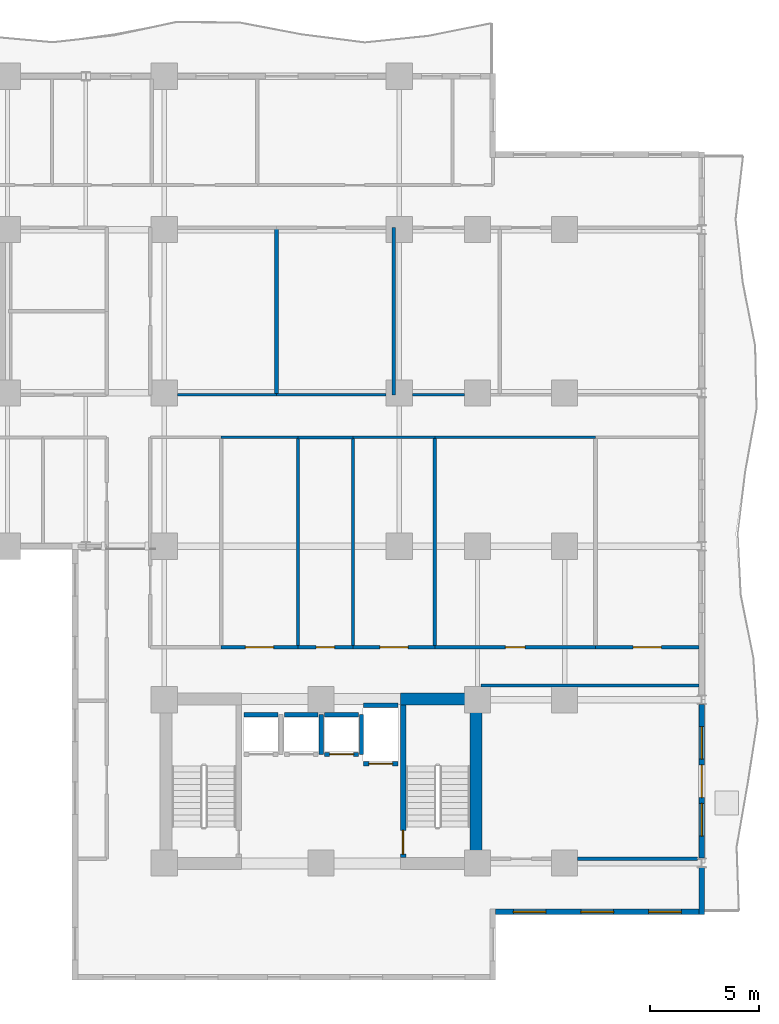
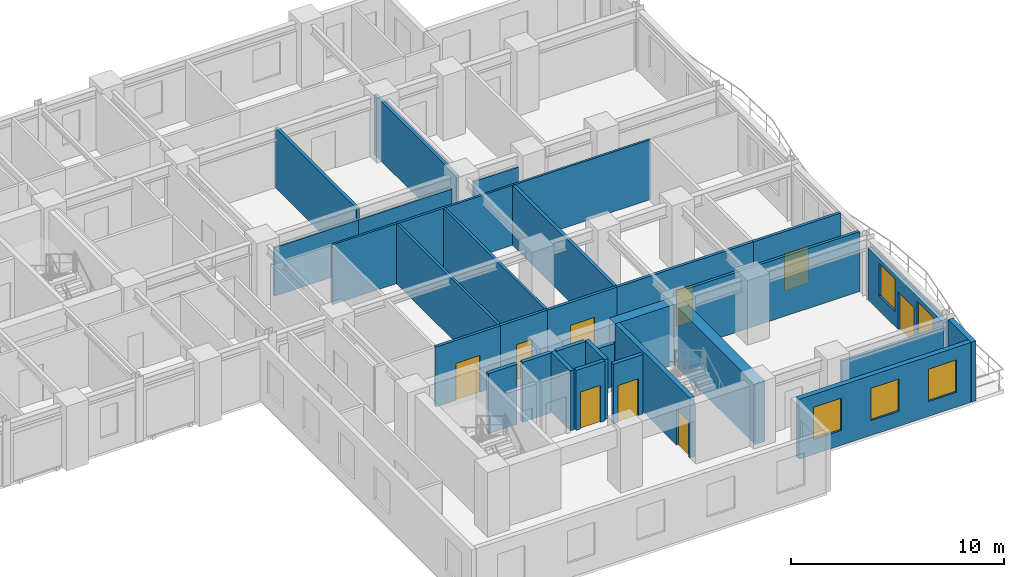
# One storey, part 5 of 11: 33 walls, 9 doors, 5 windows, 14 openings.
"""IFC4 building model written with IfcOpenShell, lengths in metres."""

import ifcopenshell
import ifcopenshell.guid

model = None  # the IFC model being written
_history = None  # IfcOwnerHistory: only IFC2X3 demands one
_inside = {}  # id of a spatial element -> (the spatial element, [elements in it])
_under = {}  # id of a project, library or spatial element -> (it, [spatial elements below it])
_declared = {}  # id of a project -> (the project, [libraries it declares])
_typed = {}  # id of a type object -> (the type object, [elements of that type])
_made_of = {}  # id of a material, layer set ... -> (it, [elements and type objects made of it])


def new_model(schema):
    """Start an empty IFC model of exactly this schema.

    Asked for "IFC4X3", IfcOpenShell would pick the latest addendum, in which some entities
    have other attributes; the version numbers below select the first issue.
    IFC2X3 requires an IfcOwnerHistory on every rooted entity: one is made here for all.
    """
    global model, _history
    if schema == "IFC4X3":
        model = ifcopenshell.file(schema_version=(4, 3, 0, 0))
    else:
        model = ifcopenshell.file(schema=schema)
    _inside.clear()
    _under.clear()
    _declared.clear()
    _typed.clear()
    _made_of.clear()
    _history = None
    if model.schema == "IFC2X3":
        org = make("IfcOrganization", Name="unknown")
        user = make(
            "IfcPersonAndOrganization",
            ThePerson=make("IfcPerson", FamilyName="unknown"),
            TheOrganization=org,
        )
        app = make(
            "IfcApplication",
            ApplicationDeveloper=org,
            Version="unknown",
            ApplicationFullName="unknown",
            ApplicationIdentifier="unknown",
        )
        _history = make(
            "IfcOwnerHistory",
            OwningUser=user,
            OwningApplication=app,
            ChangeAction="ADDED",
            CreationDate=0,
        )
    return model


def make(cls, **values):
    """One entity of the class cls with the attributes given. An attribute that is None is left unset."""
    return model.create_entity(
        cls, **{name: value for name, value in values.items() if value is not None}
    )


def rooted(cls, **values):
    """An entity with a GlobalId (a new one), such as an element, a storey or a relation."""
    return make(cls, GlobalId=ifcopenshell.guid.new(), OwnerHistory=_history, **values)


def si_unit(unit_type, name, prefix=None):
    """IfcSIUnit, for example si_unit("LENGTHUNIT", "METRE", prefix="MILLI")."""
    return make("IfcSIUnit", UnitType=unit_type, Prefix=prefix, Name=name)


def assignment(units):
    """IfcUnitAssignment: the units of a project."""
    return None if units is None else make("IfcUnitAssignment", Units=units)


def point(xyz):
    """IfcCartesianPoint."""
    return None if xyz is None else make("IfcCartesianPoint", Coordinates=xyz)


def direction(xyz):
    """IfcDirection."""
    return None if xyz is None else make("IfcDirection", DirectionRatios=xyz)


def frame(location, z_axis=None, x_axis=None):
    """IfcAxis2Placement3D, a coordinate frame: its origin and axes. An axis left out is left unset."""
    return make(
        "IfcAxis2Placement3D",
        Location=point(location),
        Axis=direction(z_axis),
        RefDirection=direction(x_axis),
    )


def frame_2d(location, x_axis=None):
    """IfcAxis2Placement2D, a coordinate frame in the plane: its origin and x axis."""
    return make(
        "IfcAxis2Placement2D", Location=point(location), RefDirection=direction(x_axis)
    )


def origin():
    """The frame at (0, 0, 0) with its axes left unset."""
    return frame((0.0, 0.0, 0.0))


def place(relative_to, where):
    """IfcLocalPlacement: puts the frame where relative to a parent placement (None: the world)."""
    return make(
        "IfcLocalPlacement", PlacementRelTo=relative_to, RelativePlacement=where
    )


def context(
    kind, dimensions, precision=None, world=None, true_north=None, identifier=None
):
    """IfcGeometricRepresentationContext, for example the 3D "Model" context."""
    return make(
        "IfcGeometricRepresentationContext",
        ContextIdentifier=identifier,
        ContextType=kind,
        CoordinateSpaceDimension=dimensions,
        Precision=precision,
        WorldCoordinateSystem=world,
        TrueNorth=true_north,
    )


def subcontext(parent, identifier, kind, view, scale=None):
    """IfcGeometricRepresentationSubContext, for example "Body" below "Model"."""
    return make(
        "IfcGeometricRepresentationSubContext",
        ContextIdentifier=identifier,
        ContextType=kind,
        ParentContext=parent,
        TargetScale=scale,
        TargetView=view,
    )


def project(units=None, contexts=None):
    """IfcProject with its units and contexts."""
    return rooted(
        "IfcProject",
        Name="project",
        RepresentationContexts=contexts,
        UnitsInContext=assignment(units),
    )


def spatial(cls, under=None, at=None, **own):
    """A site, building, storey or space (cls), placed at a placement, below another one or the project."""
    s = rooted(cls, ObjectPlacement=at, **own)
    if under is not None:
        _under.setdefault(under.id(), (under, []))[1].append(s)
    return s


def profile(cls, at=None, kind="AREA", **sizes):
    """A parametric profile (cls). Its sizes go by their IFC names, for example OverallWidth=200.0."""
    return make(cls, ProfileType=kind, Position=at, **sizes)


def rectangle(**sizes):
    """IfcRectangleProfileDef."""
    return profile("IfcRectangleProfileDef", **sizes)


def extrude(swept, where, along, depth):
    """IfcExtrudedAreaSolid: the profile swept, set in the frame where, extruded along a direction by depth."""
    return make(
        "IfcExtrudedAreaSolid",
        SweptArea=swept,
        Position=where,
        ExtrudedDirection=direction(along),
        Depth=depth,
    )


def shape(context_of_items, identifier, shape_type, items):
    """IfcShapeRepresentation: the items that make up one representation, for example the "Body"."""
    return make(
        "IfcShapeRepresentation",
        ContextOfItems=context_of_items,
        RepresentationIdentifier=identifier,
        RepresentationType=shape_type,
        Items=items,
    )


def material(Name=None, Category=None):
    """IfcMaterial."""
    return make("IfcMaterial", Name=Name, Category=Category)


def layer(
    of_material, thickness, ventilated=None, Name=None, Category=None, Priority=None
):
    """IfcMaterialLayer: one layer of a wall or slab, of a material (None: an air gap)."""
    return make(
        "IfcMaterialLayer",
        Material=of_material,
        LayerThickness=thickness,
        IsVentilated=ventilated,
        Name=Name,
        Category=Category,
        Priority=Priority,
    )


def layer_set(layers, Name=None):
    """IfcMaterialLayerSet."""
    return make("IfcMaterialLayerSet", MaterialLayers=layers, LayerSetName=Name)


def made_of(thing, what):
    """Note that an element or type object is made of a material, layer set ...; save() writes the relation."""
    if what is not None:
        _made_of.setdefault(what.id(), (what, []))[1].append(thing)
    return thing


def type_object(cls, material=None, **own):
    """A type object (cls), such as IfcWallType, which elements share."""
    return made_of(rooted(cls, **own), material)


def element(
    cls,
    number,
    at=None,
    inside=None,
    cuts=None,
    type_object=None,
    material=None,
    context=None,
    identifier="Body",
    shape_type=None,
    held_by="IfcProductDefinitionShape",
    body=None,
    shapes=None,
    **own,
):
    """One element of the class cls, such as IfcWall. Its Tag is "e" and its number.

    at: its placement. inside: the storey or other place that contains it. cuts: it is an
    opening in that element (IfcRelVoidsElement). A single representation is given by context,
    identifier, shape_type and body (its items); several are given by shapes. held_by: the class
    of the entity that holds the representations. save() writes the other relations.
    """
    e = rooted(cls, Tag="e%d" % number, ObjectPlacement=at, **own)
    if body is not None:
        shapes = [shape(context, identifier, shape_type, body)]
    if shapes is not None:
        e.Representation = make(held_by, Representations=shapes)
    if inside is not None:
        _inside.setdefault(inside.id(), (inside, []))[1].append(e)
    if cuts is not None:
        rooted(
            "IfcRelVoidsElement", RelatingBuildingElement=cuts, RelatedOpeningElement=e
        )
    if type_object is not None:
        _typed.setdefault(type_object.id(), (type_object, []))[1].append(e)
    return made_of(e, material)


def fill(opening, filler):
    """IfcRelFillsElement: the door or window that sits in an opening."""
    return rooted(
        "IfcRelFillsElement",
        RelatingOpeningElement=opening,
        RelatedBuildingElement=filler,
    )


def aggregate(whole, parts):
    """IfcRelAggregates: a whole, such as a stair, and the parts it consists of."""
    return rooted("IfcRelAggregates", RelatingObject=whole, RelatedObjects=parts)


def save(model, path):
    """Write the relations noted so far, then the file.

    IfcRelAggregates (storeys below a building ...), IfcRelContainedInSpatialStructure (elements
    in a storey), IfcRelDefinesByType, IfcRelAssociatesMaterial and IfcRelDeclares: one each for
    every whole, place, type object, material and project.
    """
    for whole, parts in _under.values():
        aggregate(whole, parts)
    for where, things in _inside.values():
        rooted(
            "IfcRelContainedInSpatialStructure",
            RelatedElements=things,
            RelatingStructure=where,
        )
    for kind, things in _typed.values():
        rooted("IfcRelDefinesByType", RelatedObjects=things, RelatingType=kind)
    for what, things in _made_of.values():
        rooted("IfcRelAssociatesMaterial", RelatedObjects=things, RelatingMaterial=what)
    for by, libraries in _declared.values():
        rooted("IfcRelDeclares", RelatingContext=by, RelatedDefinitions=libraries)
    model.write(path)


model = new_model("IFC4")

# Units and contexts
model_context = context("Model", 3, precision=1e-05, world=origin(), true_north=direction((0.0, 1.0)))
body_context = subcontext(model_context, "Body", "Model", "MODEL_VIEW")
ifc_project = project(units=[si_unit("LENGTHUNIT", "METRE"), si_unit("AREAUNIT", "SQUARE_METRE"), si_unit("VOLUMEUNIT", "CUBIC_METRE"), si_unit("PLANEANGLEUNIT", "RADIAN"), si_unit("MASSUNIT", "GRAM", prefix="KILO")], contexts=[model_context])

# Site, building, storey
site_placement = place(None, origin())
site = spatial("IfcSite", under=ifc_project, at=site_placement, CompositionType="ELEMENT")
building_placement = place(site_placement, origin())
building = spatial("IfcBuilding", under=site, at=building_placement, Name="Kaliganga Portal Commons", CompositionType="ELEMENT")
storey_placement = place(building_placement, frame((0.0, 0.0, 119.300048828125)))
storey = spatial("IfcBuildingStorey", under=building, at=storey_placement, Name="L30", CompositionType="ELEMENT", Elevation=119.300048828125)

# Walls
ifc_material_1 = material(Name="Concrete C60/75", Category="concrete")
ifc_layer_1 = layer(ifc_material_1, 0.550048828125)
ifc_layer_set_1 = layer_set([ifc_layer_1], Name="Concrete C60/75")
wall_type_1 = type_object("IfcWallType", Name="WL-CORE-550", PredefinedType="SHEAR", material=ifc_layer_set_1)
wall_1_placement = place(storey_placement, frame((50.324951171875, 6.75, 0.0), z_axis=(0.0, 0.0, 1.0), x_axis=(0.0, 1.0, 0.0)))
element("IfcWall", 1, at=wall_1_placement, inside=storey, type_object=wall_type_1, Name="Core B East Shear Wall L30", PredefinedType="SHEAR", context=body_context, shape_type="SweptSolid", body=[
    extrude(rectangle(XDim=8.10009765625, YDim=0.550048828125, at=frame_2d((4.050048828125, 0.0))), origin(), (0.0, 0.0, 1.0), 3.449951171875),
])
wall_2_placement = place(storey_placement, frame((46.85009765625, 14.574951171875, 0.0), z_axis=(0.0, 0.0, 1.0), x_axis=(1.0, 0.0, 0.0)))
element("IfcWall", 2, at=wall_2_placement, inside=storey, type_object=wall_type_1, Name="Core B N-East Shear Wall L30", PredefinedType="SHEAR", context=body_context, shape_type="SweptSolid", body=[
    extrude(rectangle(XDim=3.199951171875, YDim=0.550048828125, at=frame_2d((1.60009765625, 0.0))), origin(), (0.0, 0.0, 1.0), 3.449951171875),
])

# Wall, openings, windows
ifc_material_2 = material(Name="Insulated Aluminium-Clad Spandrel Assembly", Category="aluminium")
ifc_layer_2 = layer(ifc_material_2, 0.260009765625)
ifc_layer_set_2 = layer_set([ifc_layer_2], Name="Insulated Aluminium-Clad Spandrel Assembly")
wall_type_2 = type_object("IfcWallType", Name="WL-EXT-SPAND-260", PredefinedType="STANDARD", material=ifc_layer_set_2)
wall_3_placement = place(storey_placement, frame((60.56494140625, 4.800048828125, 0.0), z_axis=(0.0, 0.0, 1.0), x_axis=(-1.0, 0.0, 0.0)))
wall_3 = element("IfcWall", 3, at=wall_3_placement, inside=storey, type_object=wall_type_2, Name="Exterior Envelope Wall L30 P1-E02-S1", PredefinedType="STANDARD", context=body_context, shape_type="SweptSolid", body=[
    extrude(rectangle(XDim=9.329833984375, YDim=0.260009765625, at=frame_2d((4.6650390625, 0.0))), origin(), (0.0, 0.0, 1.0), 3.429931640625),
])
opening_1_placement = place(wall_3_placement, frame((0.804931640625, 0.0, 0.85009765625)))
opening_1 = element("IfcOpeningElement", 4, at=opening_1_placement, cuts=wall_3, Name="Opening W-02", PredefinedType="OPENING", context=body_context, shape_type="SweptSolid", body=[
    extrude(rectangle(XDim=1.5, YDim=1.85009765625, at=frame_2d((0.75, 0.925048828125))), frame((0.0, 0.14013671875, 0.0), z_axis=(0.0, -1.0, 0.0), x_axis=(1.0, 0.0, 0.0)), (0.0, 0.0, 1.0), 0.280029296875),
])
opening_2_placement = place(wall_3_placement, frame((3.9150390625, 0.0, 0.85009765625)))
opening_2 = element("IfcOpeningElement", 5, at=opening_2_placement, cuts=wall_3, Name="Opening W-02", PredefinedType="OPENING", context=body_context, shape_type="SweptSolid", body=[
    extrude(rectangle(XDim=1.5, YDim=1.85009765625, at=frame_2d((0.75, 0.925048828125))), frame((0.0, 0.14013671875, 0.0), z_axis=(0.0, -1.0, 0.0), x_axis=(1.0, 0.0, 0.0)), (0.0, 0.0, 1.0), 0.280029296875),
])
opening_3_placement = place(wall_3_placement, frame((7.02490234375, 0.0, 0.85009765625)))
opening_3 = element("IfcOpeningElement", 6, at=opening_3_placement, cuts=wall_3, Name="Opening W-02", PredefinedType="OPENING", context=body_context, shape_type="SweptSolid", body=[
    extrude(rectangle(XDim=1.5, YDim=1.85009765625, at=frame_2d((0.75, 0.925048828125))), frame((0.0, 0.14013671875, 0.0), z_axis=(0.0, -1.0, 0.0), x_axis=(1.0, 0.0, 0.0)), (0.0, 0.0, 1.0), 0.280029296875),
])
ifc_material_3 = material(Name="Thermally Broken Aluminium and Low-E Double Glazing", Category="aluminium")
window_type = type_object("IfcWindowType", Name="WIN-STD-1500", PartitioningType="DOUBLE_PANEL_VERTICAL", PredefinedType="WINDOW", material=ifc_material_3)
window_1_placement = place(opening_1_placement, origin())
window_1 = element("IfcWindow", 7, at=window_1_placement, inside=storey, type_object=window_type, Name="Facade Window L30-P1E02S1-00", OverallHeight=1.85009765625, OverallWidth=1.5, PartitioningType="SINGLE_PANEL", PredefinedType="WINDOW", context=body_context, shape_type="SweptSolid", body=[
    extrude(rectangle(XDim=1.5, YDim=1.85009765625, at=frame_2d((0.75, 0.925048828125))), frame((0.0, 0.030029296875, 0.0), z_axis=(0.0, -1.0, 0.0), x_axis=(1.0, 0.0, 0.0)), (0.0, 0.0, 1.0), 0.06005859375),
])
fill(opening_1, window_1)
window_2_placement = place(opening_2_placement, origin())
window_2 = element("IfcWindow", 8, at=window_2_placement, inside=storey, type_object=window_type, Name="Facade Window L30-P1E02S1-01", OverallHeight=1.85009765625, OverallWidth=1.5, PartitioningType="SINGLE_PANEL", PredefinedType="WINDOW", context=body_context, shape_type="SweptSolid", body=[
    extrude(rectangle(XDim=1.5, YDim=1.85009765625, at=frame_2d((0.75, 0.925048828125))), frame((0.0, 0.030029296875, 0.0), z_axis=(0.0, -1.0, 0.0), x_axis=(1.0, 0.0, 0.0)), (0.0, 0.0, 1.0), 0.06005859375),
])
fill(opening_2, window_2)
window_3_placement = place(opening_3_placement, origin())
window_3 = element("IfcWindow", 9, at=window_3_placement, inside=storey, type_object=window_type, Name="Facade Window L30-P1E02S1-02", OverallHeight=1.85009765625, OverallWidth=1.5, PartitioningType="SINGLE_PANEL", PredefinedType="WINDOW", context=body_context, shape_type="SweptSolid", body=[
    extrude(rectangle(XDim=1.5, YDim=1.85009765625, at=frame_2d((0.75, 0.925048828125))), frame((0.0, 0.030029296875, 0.0), z_axis=(0.0, -1.0, 0.0), x_axis=(1.0, 0.0, 0.0)), (0.0, 0.0, 1.0), 0.06005859375),
])
fill(opening_3, window_3)

# Wall
wall_4_placement = place(storey_placement, frame((60.699951171875, 6.833984375, 0.0), z_axis=(0.0, 0.0, 1.0), x_axis=(0.0, -1.0, 0.0)))
element("IfcWall", 10, at=wall_4_placement, inside=storey, type_object=wall_type_2, Name="Exterior Envelope Wall L30 P1-E03-S1", PredefinedType="STANDARD", context=body_context, shape_type="SweptSolid", body=[
    extrude(rectangle(XDim=2.1640625, YDim=0.260009765625, at=frame_2d((1.08203125, 0.0))), origin(), (0.0, 0.0, 1.0), 3.429931640625),
])

# Wall, openings, door, windows
wall_5_placement = place(storey_placement, frame((60.699951171875, 14.333984375, 0.0), z_axis=(0.0, 0.0, 1.0), x_axis=(0.0, -1.0, 0.0)))
wall_5 = element("IfcWall", 11, at=wall_5_placement, inside=storey, type_object=wall_type_2, Name="Exterior Envelope Wall L30 P1-E03-S2", PredefinedType="STANDARD", context=body_context, shape_type="SweptSolid", body=[
    extrude(rectangle(XDim=7.06787109375, YDim=0.260009765625, at=frame_2d((3.533935546875, 0.0))), origin(), (0.0, 0.0, 1.0), 2.97998046875),
])
opening_4_placement = place(wall_5_placement, frame((2.783935546875, 0.0, 0.0)))
opening_4 = element("IfcOpeningElement", 12, at=opening_4_placement, cuts=wall_5, Name="Opening BD-01", PredefinedType="OPENING", context=body_context, shape_type="SweptSolid", body=[
    extrude(rectangle(XDim=1.5, YDim=2.14990234375, at=frame_2d((0.75, 1.074951171875))), frame((0.0, 0.14013671875, 0.0), z_axis=(0.0, -1.0, 0.0), x_axis=(1.0, 0.0, 0.0)), (0.0, 0.0, 1.0), 0.280029296875),
])
opening_5_placement = place(wall_5_placement, frame((1.01708984375, 0.0, 0.85009765625)))
opening_5 = element("IfcOpeningElement", 13, at=opening_5_placement, cuts=wall_5, Name="Opening W-02", PredefinedType="OPENING", context=body_context, shape_type="SweptSolid", body=[
    extrude(rectangle(XDim=1.5, YDim=1.85009765625, at=frame_2d((0.75, 0.925048828125))), frame((0.0, 0.14013671875, 0.0), z_axis=(0.0, -1.0, 0.0), x_axis=(1.0, 0.0, 0.0)), (0.0, 0.0, 1.0), 0.280029296875),
])
opening_6_placement = place(wall_5_placement, frame((4.551025390625, 0.0, 0.85009765625)))
opening_6 = element("IfcOpeningElement", 14, at=opening_6_placement, cuts=wall_5, Name="Opening W-02", PredefinedType="OPENING", context=body_context, shape_type="SweptSolid", body=[
    extrude(rectangle(XDim=1.5, YDim=1.85009765625, at=frame_2d((0.75, 0.925048828125))), frame((0.0, 0.14013671875, 0.0), z_axis=(0.0, -1.0, 0.0), x_axis=(1.0, 0.0, 0.0)), (0.0, 0.0, 1.0), 0.280029296875),
])
ifc_material_4 = material(Name="Anodized Aluminium and Laminated Safety Glass", Category="aluminium")
door_type_1 = type_object("IfcDoorType", Name="DR-BALC-1500", OperationType="SLIDING_TO_LEFT", PredefinedType="DOOR", material=ifc_material_4)
door_1_placement = place(opening_4_placement, origin())
door_1 = element("IfcDoor", 15, at=door_1_placement, inside=storey, type_object=door_type_1, Name="Balcony Sliding Door L30 balc_east", OperationType="SLIDING_TO_LEFT", OverallHeight=2.14990234375, OverallWidth=1.5, PredefinedType="DOOR", context=body_context, shape_type="SweptSolid", body=[
    extrude(rectangle(XDim=1.5, YDim=2.14990234375, at=frame_2d((0.75, 1.074951171875))), frame((0.0, 0.02490234375, 0.0), z_axis=(0.0, -1.0, 0.0), x_axis=(1.0, 0.0, 0.0)), (0.0, 0.0, 1.0), 0.050048828125),
])
fill(opening_4, door_1)
window_4_placement = place(opening_5_placement, origin())
window_4 = element("IfcWindow", 16, at=window_4_placement, inside=storey, type_object=window_type, Name="Facade Window L30-P1E03S2-00", OverallHeight=1.85009765625, OverallWidth=1.5, PartitioningType="SINGLE_PANEL", PredefinedType="WINDOW", context=body_context, shape_type="SweptSolid", body=[
    extrude(rectangle(XDim=1.5, YDim=1.85009765625, at=frame_2d((0.75, 0.925048828125))), frame((0.0, 0.030029296875, 0.0), z_axis=(0.0, -1.0, 0.0), x_axis=(1.0, 0.0, 0.0)), (0.0, 0.0, 1.0), 0.06005859375),
])
fill(opening_5, window_4)
window_5_placement = place(opening_6_placement, origin())
window_5 = element("IfcWindow", 17, at=window_5_placement, inside=storey, type_object=window_type, Name="Facade Window L30-P1E03S2-01", OverallHeight=1.85009765625, OverallWidth=1.5, PartitioningType="SINGLE_PANEL", PredefinedType="WINDOW", context=body_context, shape_type="SweptSolid", body=[
    extrude(rectangle(XDim=1.5, YDim=1.85009765625, at=frame_2d((0.75, 0.925048828125))), frame((0.0, 0.030029296875, 0.0), z_axis=(0.0, -1.0, 0.0), x_axis=(1.0, 0.0, 0.0)), (0.0, 0.0, 1.0), 0.06005859375),
])
fill(opening_6, window_5)

# Walls
ifc_material_5 = material(Name="Fire-Rated Gypsum Board on Steel Stud", Category="steel")
ifc_layer_3 = layer(ifc_material_5, 0.14990234375)
ifc_layer_set_3 = layer_set([ifc_layer_3], Name="Fire-Rated Gypsum Board on Steel Stud")
wall_type_3 = type_object("IfcWallType", Name="WL-PART-CORR-150", PredefinedType="PARTITIONING", material=ifc_layer_set_3)
wall_6_placement = place(storey_placement, frame((55.0, 7.239990234375, 0.0), z_axis=(0.0, 0.0, 1.0), x_axis=(1.0, 0.0, 0.0)))
element("IfcWall", 18, at=wall_6_placement, inside=storey, type_object=wall_type_3, Name="Interior Partition L30-002", PredefinedType="PARTITIONING", context=body_context, shape_type="SweptSolid", body=[
    extrude(rectangle(XDim=5.49560546875, YDim=0.14990234375, at=frame_2d((2.747802734375, 0.0))), origin(), (0.0, 0.0, 1.0), 2.780029296875),
])
wall_7_placement = place(storey_placement, frame((50.56005859375, 15.199951171875, 0.0), z_axis=(0.0, 0.0, 1.0), x_axis=(1.0, 0.0, 0.0)))
element("IfcWall", 19, at=wall_7_placement, inside=storey, type_object=wall_type_3, Name="Interior Partition L30-003", PredefinedType="PARTITIONING", context=body_context, shape_type="SweptSolid", body=[
    extrude(rectangle(XDim=10.008056640625, YDim=0.14990234375, at=frame_2d((5.00390625, 0.0))), origin(), (0.0, 0.0, 1.0), 3.429931640625),
])

# Wall, opening, door
wall_8_placement = place(storey_placement, frame((48.43994140625, 16.9599609375, 0.0), z_axis=(0.0, 0.0, 1.0), x_axis=(1.0, 0.0, 0.0)))
wall_8 = element("IfcWall", 20, at=wall_8_placement, inside=storey, type_object=wall_type_3, Name="Interior Partition L30-009", PredefinedType="PARTITIONING", context=body_context, shape_type="SweptSolid", body=[
    extrude(rectangle(XDim=7.380126953125, YDim=0.14990234375, at=frame_2d((3.68994140625, 0.0))), origin(), (0.0, 0.0, 1.0), 3.429931640625),
])
opening_7_placement = place(wall_8_placement, frame((3.239990234375, 0.0, 0.0)))
opening_7 = element("IfcOpeningElement", 21, at=opening_7_placement, cuts=wall_8, Name="Opening RD-01", PredefinedType="OPENING", context=body_context, shape_type="SweptSolid", body=[
    extrude(rectangle(XDim=0.89990234375, YDim=2.080078125, at=frame_2d((0.449951171875, 1.0400390625))), frame((0.0, 0.0849609375, 0.0), z_axis=(0.0, -1.0, 0.0), x_axis=(1.0, 0.0, 0.0)), (0.0, 0.0, 1.0), 0.169921875),
])
ifc_material_6 = material(Name="Engineered Timber Flush Door", Category="wood")
door_type_2 = type_object("IfcDoorType", Name="DR-ROOM-900", OperationType="NOTDEFINED", PredefinedType="DOOR", material=ifc_material_6)
door_2_placement = place(opening_7_placement, origin())
door_2 = element("IfcDoor", 22, at=door_2_placement, inside=storey, type_object=door_type_2, Name="Interior Door L30-BM05", OperationType="SINGLE_SWING_LEFT", OverallHeight=2.080078125, OverallWidth=0.89990234375, PredefinedType="DOOR", context=body_context, shape_type="SweptSolid", body=[
    extrude(rectangle(XDim=0.89990234375, YDim=2.080078125, at=frame_2d((0.449951171875, 1.0400390625))), frame((0.0, 0.02490234375, 0.0), z_axis=(0.0, -1.0, 0.0), x_axis=(1.0, 0.0, 0.0)), (0.0, 0.0, 1.0), 0.050048828125),
])
fill(opening_7, door_2)

wall_9_placement = place(storey_placement, frame((55.820068359375, 16.9599609375, 0.0), z_axis=(0.0, 0.0, 1.0), x_axis=(1.0, 0.0, 0.0)))
wall_9 = element("IfcWall", 23, at=wall_9_placement, inside=storey, type_object=wall_type_3, Name="Interior Partition L30-018", PredefinedType="PARTITIONING", context=body_context, shape_type="SweptSolid", body=[
    extrude(rectangle(XDim=4.748046875, YDim=0.14990234375, at=frame_2d((2.3740234375, 0.0))), origin(), (0.0, 0.0, 1.0), 3.429931640625),
])
opening_8_placement = place(wall_9_placement, frame((1.72412109375, 0.0, 0.0)))
opening_8 = element("IfcOpeningElement", 24, at=opening_8_placement, cuts=wall_9, Name="Opening RD-03", PredefinedType="OPENING", context=body_context, shape_type="SweptSolid", body=[
    extrude(rectangle(XDim=1.300048828125, YDim=2.1201171875, at=frame_2d((0.64990234375, 1.06005859375))), frame((0.0, 0.0849609375, 0.0), z_axis=(0.0, -1.0, 0.0), x_axis=(1.0, 0.0, 0.0)), (0.0, 0.0, 1.0), 0.169921875),
])
ifc_material_7 = material(Name="Glazed Timber Seminar Vision Door", Category="wood")
door_type_3 = type_object("IfcDoorType", Name="DR-STUDY-1300", OperationType="DOUBLE_DOOR_SINGLE_SWING", PredefinedType="DOOR", material=ifc_material_7)
door_3_placement = place(opening_8_placement, origin())
door_3 = element("IfcDoor", 25, at=door_3_placement, inside=storey, type_object=door_type_3, Name="Interior Door L30-BM06", OperationType="DOUBLE_DOOR_SINGLE_SWING", OverallHeight=2.1201171875, OverallWidth=1.300048828125, PredefinedType="DOOR", context=body_context, shape_type="SweptSolid", body=[
    extrude(rectangle(XDim=1.300048828125, YDim=2.1201171875, at=frame_2d((0.64990234375, 1.06005859375))), frame((0.0, 0.02490234375, 0.0), z_axis=(0.0, -1.0, 0.0), x_axis=(1.0, 0.0, 0.0)), (0.0, 0.0, 1.0), 0.050048828125),
])
fill(opening_8, door_3)

wall_10_placement = place(storey_placement, frame((44.679931640625, 16.9599609375, 0.0), z_axis=(0.0, 0.0, 1.0), x_axis=(1.0, 0.0, 0.0)))
wall_10 = element("IfcWall", 26, at=wall_10_placement, inside=storey, type_object=wall_type_3, Name="Interior Partition L30-030", PredefinedType="PARTITIONING", context=body_context, shape_type="SweptSolid", body=[
    extrude(rectangle(XDim=3.760009765625, YDim=0.14990234375, at=frame_2d((1.8798828125, 0.0))), origin(), (0.0, 0.0, 1.0), 3.429931640625),
])
opening_9_placement = place(wall_10_placement, frame((1.22998046875, 0.0, 0.0)))
opening_9 = element("IfcOpeningElement", 27, at=opening_9_placement, cuts=wall_10, Name="Opening RD-03", PredefinedType="OPENING", context=body_context, shape_type="SweptSolid", body=[
    extrude(rectangle(XDim=1.300048828125, YDim=2.1201171875, at=frame_2d((0.64990234375, 1.06005859375))), frame((0.0, 0.0849609375, 0.0), z_axis=(0.0, -1.0, 0.0), x_axis=(1.0, 0.0, 0.0)), (0.0, 0.0, 1.0), 0.169921875),
])
door_4_placement = place(opening_9_placement, origin())
door_4 = element("IfcDoor", 28, at=door_4_placement, inside=storey, type_object=door_type_3, Name="Interior Door L30-BM04", OperationType="DOUBLE_DOOR_SINGLE_SWING", OverallHeight=2.1201171875, OverallWidth=1.300048828125, PredefinedType="DOOR", context=body_context, shape_type="SweptSolid", body=[
    extrude(rectangle(XDim=1.300048828125, YDim=2.1201171875, at=frame_2d((0.64990234375, 1.06005859375))), frame((0.0, 0.02490234375, 0.0), z_axis=(0.0, -1.0, 0.0), x_axis=(1.0, 0.0, 0.0)), (0.0, 0.0, 1.0), 0.050048828125),
])
fill(opening_9, door_4)

wall_11_placement = place(storey_placement, frame((38.6201171875, 16.9599609375, 0.0), z_axis=(0.0, 0.0, 1.0), x_axis=(1.0, 0.0, 0.0)))
wall_11 = element("IfcWall", 29, at=wall_11_placement, inside=storey, type_object=wall_type_3, Name="Interior Partition L30-032", PredefinedType="PARTITIONING", context=body_context, shape_type="SweptSolid", body=[
    extrude(rectangle(XDim=3.519775390625, YDim=0.14990234375, at=frame_2d((1.759765625, 0.0))), origin(), (0.0, 0.0, 1.0), 3.429931640625),
])
opening_10_placement = place(wall_11_placement, frame((1.110107421875, 0.0, 0.0)))
opening_10 = element("IfcOpeningElement", 30, at=opening_10_placement, cuts=wall_11, Name="Opening RD-03", PredefinedType="OPENING", context=body_context, shape_type="SweptSolid", body=[
    extrude(rectangle(XDim=1.300048828125, YDim=2.1201171875, at=frame_2d((0.64990234375, 1.06005859375))), frame((0.0, 0.0849609375, 0.0), z_axis=(0.0, -1.0, 0.0), x_axis=(1.0, 0.0, 0.0)), (0.0, 0.0, 1.0), 0.169921875),
])
door_5_placement = place(opening_10_placement, origin())
door_5 = element("IfcDoor", 31, at=door_5_placement, inside=storey, type_object=door_type_3, Name="Interior Door L30-BM02", OperationType="DOUBLE_DOOR_SINGLE_SWING", OverallHeight=2.1201171875, OverallWidth=1.300048828125, PredefinedType="DOOR", context=body_context, shape_type="SweptSolid", body=[
    extrude(rectangle(XDim=1.300048828125, YDim=2.1201171875, at=frame_2d((0.64990234375, 1.06005859375))), frame((0.0, 0.02490234375, 0.0), z_axis=(0.0, -1.0, 0.0), x_axis=(1.0, 0.0, 0.0)), (0.0, 0.0, 1.0), 0.050048828125),
])
fill(opening_10, door_5)

wall_12_placement = place(storey_placement, frame((42.139892578125, 16.9599609375, 0.0), z_axis=(0.0, 0.0, 1.0), x_axis=(1.0, 0.0, 0.0)))
wall_12 = element("IfcWall", 32, at=wall_12_placement, inside=storey, type_object=wall_type_3, Name="Interior Partition L30-037", PredefinedType="PARTITIONING", context=body_context, shape_type="SweptSolid", body=[
    extrude(rectangle(XDim=2.5400390625, YDim=0.14990234375, at=frame_2d((1.27001953125, 0.0))), origin(), (0.0, 0.0, 1.0), 3.429931640625),
])
opening_11_placement = place(wall_12_placement, frame((0.844970703125, 0.0, 0.0)))
opening_11 = element("IfcOpeningElement", 33, at=opening_11_placement, cuts=wall_12, Name="Opening WD-01", PredefinedType="OPENING", context=body_context, shape_type="SweptSolid", body=[
    extrude(rectangle(XDim=0.85009765625, YDim=2.0400390625, at=frame_2d((0.425048828125, 1.02001953125))), frame((0.0, 0.0849609375, 0.0), z_axis=(0.0, -1.0, 0.0), x_axis=(1.0, 0.0, 0.0)), (0.0, 0.0, 1.0), 0.169921875),
])
ifc_material_8 = material(Name="Moisture-Resistant Laminate Timber Door", Category="wood")
door_type_4 = type_object("IfcDoorType", Name="DR-WET-850", OperationType="NOTDEFINED", PredefinedType="DOOR", material=ifc_material_8)
door_6_placement = place(opening_11_placement, origin())
door_6 = element("IfcDoor", 34, at=door_6_placement, inside=storey, type_object=door_type_4, Name="Interior Door L30-BM03", OperationType="SINGLE_SWING_LEFT", OverallHeight=2.0400390625, OverallWidth=0.85009765625, PredefinedType="DOOR", context=body_context, shape_type="SweptSolid", body=[
    extrude(rectangle(XDim=0.85009765625, YDim=2.0400390625, at=frame_2d((0.425048828125, 1.02001953125))), frame((0.0, 0.02490234375, 0.0), z_axis=(0.0, -1.0, 0.0), x_axis=(1.0, 0.0, 0.0)), (0.0, 0.0, 1.0), 0.050048828125),
])
fill(opening_11, door_6)

# Walls
ifc_material_9 = material(Name="Moisture-Resistant Gypsum Partition", Category="gypsum")
ifc_layer_4 = layer(ifc_material_9, 0.114990234375)
ifc_layer_set_4 = layer_set([ifc_layer_4], Name="Moisture-Resistant Gypsum Partition")
wall_type_4 = type_object("IfcWallType", Name="WL-PART-ROOM-115", PredefinedType="PARTITIONING", material=ifc_layer_set_4)
wall_13_placement = place(storey_placement, frame((48.43994140625, 26.60009765625, 0.0), z_axis=(0.0, 0.0, 1.0), x_axis=(1.0, 0.0, 0.0)))
element("IfcWall", 35, at=wall_13_placement, inside=storey, type_object=wall_type_4, Name="Interior Partition L30-053", PredefinedType="PARTITIONING", context=body_context, shape_type="SweptSolid", body=[
    extrude(rectangle(XDim=7.380126953125, YDim=0.114990234375, at=frame_2d((3.68994140625, 0.0))), origin(), (0.0, 0.0, 1.0), 3.429931640625),
])
wall_14_placement = place(storey_placement, frame((36.60009765625, 28.56005859375, 0.0), z_axis=(0.0, 0.0, 1.0), x_axis=(1.0, 0.0, 0.0)))
element("IfcWall", 36, at=wall_14_placement, inside=storey, type_object=wall_type_4, Name="Interior Partition L30-054", PredefinedType="PARTITIONING", context=body_context, shape_type="SweptSolid", body=[
    extrude(rectangle(XDim=4.559814453125, YDim=0.114990234375, at=frame_2d((2.27978515625, 0.0))), origin(), (0.0, 0.0, 1.0), 2.780029296875),
])
wall_15_placement = place(storey_placement, frame((41.159912109375, 28.56005859375, 0.0), z_axis=(0.0, 0.0, 1.0), x_axis=(1.0, 0.0, 0.0)))
element("IfcWall", 37, at=wall_15_placement, inside=storey, type_object=wall_type_4, Name="Interior Partition L30-055", PredefinedType="PARTITIONING", context=body_context, shape_type="SweptSolid", body=[
    extrude(rectangle(XDim=5.0400390625, YDim=0.114990234375, at=frame_2d((2.52001953125, 0.0))), origin(), (0.0, 0.0, 1.0), 2.780029296875),
])
wall_16_placement = place(storey_placement, frame((47.39990234375, 28.56005859375, 0.0), z_axis=(0.0, 0.0, 1.0), x_axis=(1.0, 0.0, 0.0)))
element("IfcWall", 38, at=wall_16_placement, inside=storey, type_object=wall_type_4, Name="Interior Partition L30-071", PredefinedType="PARTITIONING", context=body_context, shape_type="SweptSolid", body=[
    extrude(rectangle(XDim=2.400146484375, YDim=0.114990234375, at=frame_2d((1.2001953125, 0.0))), origin(), (0.0, 0.0, 1.0), 2.780029296875),
])
wall_17_placement = place(storey_placement, frame((44.679931640625, 26.60009765625, 0.0), z_axis=(0.0, 0.0, 1.0), x_axis=(1.0, 0.0, 0.0)))
element("IfcWall", 39, at=wall_17_placement, inside=storey, type_object=wall_type_4, Name="Interior Partition L30-075", PredefinedType="PARTITIONING", context=body_context, shape_type="SweptSolid", body=[
    extrude(rectangle(XDim=3.760009765625, YDim=0.114990234375, at=frame_2d((1.8798828125, 0.0))), origin(), (0.0, 0.0, 1.0), 3.429931640625),
])
wall_18_placement = place(storey_placement, frame((38.6201171875, 26.60009765625, 0.0), z_axis=(0.0, 0.0, 1.0), x_axis=(1.0, 0.0, 0.0)))
element("IfcWall", 40, at=wall_18_placement, inside=storey, type_object=wall_type_4, Name="Interior Partition L30-076", PredefinedType="PARTITIONING", context=body_context, shape_type="SweptSolid", body=[
    extrude(rectangle(XDim=3.519775390625, YDim=0.114990234375, at=frame_2d((1.759765625, 0.0))), origin(), (0.0, 0.0, 1.0), 3.429931640625),
])
ifc_material_10 = material(Name="Twin-Stud Acoustic Gypsum Partition", Category="gypsum")
ifc_layer_5 = layer(ifc_material_10, 0.1650390625)
ifc_layer_set_5 = layer_set([ifc_layer_5], Name="Twin-Stud Acoustic Gypsum Partition")
wall_type_5 = type_object("IfcWallType", Name="WL-PART-UNIT-165", PredefinedType="PARTITIONING", material=ifc_layer_set_5)
wall_19_placement = place(storey_placement, frame((48.43994140625, 16.9599609375, 0.0), z_axis=(0.0, 0.0, 1.0), x_axis=(0.0, 1.0, 0.0)))
element("IfcWall", 41, at=wall_19_placement, inside=storey, type_object=wall_type_5, Name="Interior Partition L30-046", PredefinedType="PARTITIONING", context=body_context, shape_type="SweptSolid", body=[
    extrude(rectangle(XDim=9.64013671875, YDim=0.1650390625, at=frame_2d((4.820068359375, 0.0))), origin(), (0.0, 0.0, 1.0), 3.429931640625),
])
for number, where, z_axis, x_axis, name in (
    (42, (41.159912109375, 28.56005859375, 0.0), (0.0, 0.0, 1.0), (0.0, 1.0, 0.0), "Interior Partition L30-050"),
    (43, (46.5400390625, 28.56005859375, 0.0), (0.0, 0.0, 1.0), (0.0, 1.0, 0.0), "Interior Partition L30-051"),
):
    element("IfcWall", number, at=place(storey_placement, frame(where, z_axis=z_axis, x_axis=x_axis)), inside=storey, type_object=wall_type_5, Name=name, PredefinedType="PARTITIONING", context=body_context, shape_type="SweptSolid", body=[
        extrude(rectangle(XDim=7.679931640625, YDim=0.1650390625, at=frame_2d((3.83984375, 0.0))), origin(), (0.0, 0.0, 1.0), 3.429931640625),
    ])
ifc_material_11 = material(Name="Cement-Board Wet-Room Partition", Category="gypsum")
ifc_layer_6 = layer(ifc_material_11, 0.135009765625)
ifc_layer_set_6 = layer_set([ifc_layer_6], Name="Cement-Board Wet-Room Partition")
wall_type_6 = type_object("IfcWallType", Name="WL-PART-WET-135", PredefinedType="PARTITIONING", material=ifc_layer_set_6)
for number, where, z_axis, x_axis, name in (
    (44, (42.139892578125, 16.9599609375, 0.0), (0.0, 0.0, 1.0), (0.0, 1.0, 0.0), "Interior Partition L30-044"),
    (45, (44.679931640625, 16.9599609375, 0.0), (0.0, 0.0, 1.0), (0.0, 1.0, 0.0), "Interior Partition L30-045"),
):
    element("IfcWall", number, at=place(storey_placement, frame(where, z_axis=z_axis, x_axis=x_axis)), inside=storey, type_object=wall_type_6, Name=name, PredefinedType="PARTITIONING", context=body_context, shape_type="SweptSolid", body=[
        extrude(rectangle(XDim=9.64013671875, YDim=0.135009765625, at=frame_2d((4.820068359375, 0.0))), origin(), (0.0, 0.0, 1.0), 3.429931640625),
    ])
wall_20_placement = place(storey_placement, frame((42.139892578125, 26.60009765625, 0.0), z_axis=(0.0, 0.0, 1.0), x_axis=(1.0, 0.0, 0.0)))
element("IfcWall", 46, at=wall_20_placement, inside=storey, type_object=wall_type_6, Name="Interior Partition L30-079", PredefinedType="PARTITIONING", context=body_context, shape_type="SweptSolid", body=[
    extrude(rectangle(XDim=2.5400390625, YDim=0.135009765625, at=frame_2d((1.27001953125, 0.0))), origin(), (0.0, 0.0, 1.0), 3.429931640625),
])
ifc_material_12 = material(Name="Fire-Rated Shaftwall Masonry Assembly", Category="masonry")
ifc_layer_7 = layer(ifc_material_12, 0.199951171875)
ifc_layer_set_7 = layer_set([ifc_layer_7], Name="Fire-Rated Shaftwall Masonry Assembly")
wall_type_7 = type_object("IfcWallType", Name="WL-SHAFT-200", PredefinedType="PARTITIONING", material=ifc_layer_set_7)
for number, where, z_axis, x_axis, name in (
    (47, (39.675048828125, 13.864990234375, 0.0), (0.0, 0.0, 1.0), (1.0, 0.0, 0.0), "Lift PL-B1 Hoistway Shaft Wall L30-N"),
    (48, (41.52490234375, 13.864990234375, 0.0), (0.0, 0.0, 1.0), (1.0, 0.0, 0.0), "Lift PL-B2 Hoistway Shaft Wall L30-N"),
):
    element("IfcWall", number, at=place(storey_placement, frame(where, z_axis=z_axis, x_axis=x_axis)), inside=storey, type_object=wall_type_7, Name=name, PredefinedType="PARTITIONING", context=body_context, shape_type="SweptSolid", body=[
        extrude(rectangle(XDim=1.550048828125, YDim=0.199951171875, at=frame_2d((0.77490234375, 0.0))), origin(), (0.0, 0.0, 1.0), 3.429931640625),
    ])
wall_21_placement = place(storey_placement, frame((43.215087890625, 12.034912109375, 0.0), z_axis=(0.0, 0.0, 1.0), x_axis=(0.0, 1.0, 0.0)))
element("IfcWall", 49, at=wall_21_placement, inside=storey, type_object=wall_type_7, Name="Lift PL-B2 Hoistway Shaft Wall L30-E", PredefinedType="PARTITIONING", context=body_context, shape_type="SweptSolid", body=[
    extrude(rectangle(XDim=1.830078125, YDim=0.199951171875, at=frame_2d((0.9150390625, 0.0))), origin(), (0.0, 0.0, 1.0), 3.429931640625),
])

# Wall, opening, door
wall_22_placement = place(storey_placement, frame((43.375, 12.034912109375, 0.0), z_axis=(0.0, 0.0, 1.0), x_axis=(1.0, 0.0, 0.0)))
wall_22 = element("IfcWall", 50, at=wall_22_placement, inside=storey, type_object=wall_type_7, Name="Lift SH-2 Hoistway Shaft Wall L30-S", PredefinedType="PARTITIONING", context=body_context, shape_type="SweptSolid", body=[
    extrude(rectangle(XDim=1.550048828125, YDim=0.199951171875, at=frame_2d((0.77490234375, 0.0))), origin(), (0.0, 0.0, 1.0), 3.429931640625),
])
opening_12_placement = place(wall_22_placement, frame((0.22509765625, 0.0, 0.0)))
opening_12 = element("IfcOpeningElement", 51, at=opening_12_placement, cuts=wall_22, Name="Opening LD-01", PredefinedType="OPENING", context=body_context, shape_type="SweptSolid", body=[
    extrude(rectangle(XDim=1.10009765625, YDim=2.1201171875, at=frame_2d((0.550048828125, 1.06005859375))), frame((0.0, 0.10986328125, 0.0), z_axis=(0.0, -1.0, 0.0), x_axis=(1.0, 0.0, 0.0)), (0.0, 0.0, 1.0), 0.219970703125),
])
ifc_material_13 = material(Name="Brushed Stainless Steel 316 Lift Landing Door", Category="steel")
door_type_5 = type_object("IfcDoorType", Name="DR-LIFT-1100", OperationType="SLIDING_TO_LEFT", PredefinedType="DOOR", material=ifc_material_13)
door_7_placement = place(opening_12_placement, origin())
door_7 = element("IfcDoor", 52, at=door_7_placement, inside=storey, type_object=door_type_5, Name="Lift SH-2 Sliding Landing Door L30", OperationType="SLIDING_TO_LEFT", OverallHeight=2.1201171875, OverallWidth=1.10009765625, PredefinedType="DOOR", context=body_context, shape_type="SweptSolid", body=[
    extrude(rectangle(XDim=1.10009765625, YDim=2.1201171875, at=frame_2d((0.550048828125, 1.06005859375))), frame((0.0, 0.02490234375, 0.0), z_axis=(0.0, -1.0, 0.0), x_axis=(1.0, 0.0, 0.0)), (0.0, 0.0, 1.0), 0.050048828125),
])
fill(opening_12, door_7)

# Walls
wall_23_placement = place(storey_placement, frame((43.375, 13.864990234375, 0.0), z_axis=(0.0, 0.0, 1.0), x_axis=(1.0, 0.0, 0.0)))
element("IfcWall", 53, at=wall_23_placement, inside=storey, type_object=wall_type_7, Name="Lift SH-2 Hoistway Shaft Wall L30-N", PredefinedType="PARTITIONING", context=body_context, shape_type="SweptSolid", body=[
    extrude(rectangle(XDim=1.550048828125, YDim=0.199951171875, at=frame_2d((0.77490234375, 0.0))), origin(), (0.0, 0.0, 1.0), 3.429931640625),
])
wall_24_placement = place(storey_placement, frame((45.06494140625, 12.034912109375, 0.0), z_axis=(0.0, 0.0, 1.0), x_axis=(0.0, 1.0, 0.0)))
element("IfcWall", 54, at=wall_24_placement, inside=storey, type_object=wall_type_7, Name="Lift SH-2 Hoistway Shaft Wall L30-E", PredefinedType="PARTITIONING", context=body_context, shape_type="SweptSolid", body=[
    extrude(rectangle(XDim=1.830078125, YDim=0.199951171875, at=frame_2d((0.9150390625, 0.0))), origin(), (0.0, 0.0, 1.0), 3.429931640625),
])

# Wall, opening, door
wall_25_placement = place(storey_placement, frame((45.14990234375, 11.610107421875, 0.0), z_axis=(0.0, 0.0, 1.0), x_axis=(1.0, 0.0, 0.0)))
wall_25 = element("IfcWall", 55, at=wall_25_placement, inside=storey, type_object=wall_type_7, Name="Lift SL-B1 Hoistway Shaft Wall L30-S", PredefinedType="PARTITIONING", context=body_context, shape_type="SweptSolid", body=[
    extrude(rectangle(XDim=1.60009765625, YDim=0.199951171875, at=frame_2d((0.800048828125, 0.0))), origin(), (0.0, 0.0, 1.0), 3.429931640625),
])
opening_13_placement = place(wall_25_placement, frame((0.25, 0.0, 0.0)))
opening_13 = element("IfcOpeningElement", 56, at=opening_13_placement, cuts=wall_25, Name="Opening LD-01", PredefinedType="OPENING", context=body_context, shape_type="SweptSolid", body=[
    extrude(rectangle(XDim=1.10009765625, YDim=2.1201171875, at=frame_2d((0.550048828125, 1.06005859375))), frame((0.0, 0.10986328125, 0.0), z_axis=(0.0, -1.0, 0.0), x_axis=(1.0, 0.0, 0.0)), (0.0, 0.0, 1.0), 0.219970703125),
])
door_8_placement = place(opening_13_placement, origin())
door_8 = element("IfcDoor", 57, at=door_8_placement, inside=storey, type_object=door_type_5, Name="Lift SL-B1 Sliding Landing Door L30", OperationType="SLIDING_TO_LEFT", OverallHeight=2.1201171875, OverallWidth=1.10009765625, PredefinedType="DOOR", context=body_context, shape_type="SweptSolid", body=[
    extrude(rectangle(XDim=1.10009765625, YDim=2.1201171875, at=frame_2d((0.550048828125, 1.06005859375))), frame((0.0, 0.02490234375, 0.0), z_axis=(0.0, -1.0, 0.0), x_axis=(1.0, 0.0, 0.0)), (0.0, 0.0, 1.0), 0.050048828125),
])
fill(opening_13, door_8)

# Wall
wall_26_placement = place(storey_placement, frame((45.14990234375, 14.2900390625, 0.0), z_axis=(0.0, 0.0, 1.0), x_axis=(1.0, 0.0, 0.0)))
element("IfcWall", 58, at=wall_26_placement, inside=storey, type_object=wall_type_7, Name="Lift SL-B1 Hoistway Shaft Wall L30-N", PredefinedType="PARTITIONING", context=body_context, shape_type="SweptSolid", body=[
    extrude(rectangle(XDim=1.60009765625, YDim=0.199951171875, at=frame_2d((0.800048828125, 0.0))), origin(), (0.0, 0.0, 1.0), 2.429931640625),
])

# Wall, opening, door
ifc_material_14 = material(Name="Concrete C50/60", Category="concrete")
ifc_layer_8 = layer(ifc_material_14, 0.25)
ifc_layer_set_8 = layer_set([ifc_layer_8], Name="Concrete C50/60")
wall_type_8 = type_object("IfcWallType", Name="WL-STAIR-250", PredefinedType="SHEAR", material=ifc_layer_set_8)
wall_27_placement = place(storey_placement, frame((46.97509765625, 7.300048828125, 0.0), z_axis=(0.0, 0.0, 1.0), x_axis=(0.0, 1.0, 0.0)))
wall_27 = element("IfcWall", 59, at=wall_27_placement, inside=storey, type_object=wall_type_8, Name="Stair B2 Enclosure Shear Wall L30", PredefinedType="SHEAR", context=body_context, shape_type="SweptSolid", body=[
    extrude(rectangle(XDim=7.0, YDim=0.25, at=frame_2d((3.5, 0.0))), origin(), (0.0, 0.0, 1.0), 3.449951171875),
])
opening_14_placement = place(wall_27_placement, frame((0.14990234375, 0.0, 0.0)))
opening_14 = element("IfcOpeningElement", 60, at=opening_14_placement, cuts=wall_27, Name="Opening SD-01", PredefinedType="OPENING", context=body_context, shape_type="SweptSolid", body=[
    extrude(rectangle(XDim=1.10009765625, YDim=2.080078125, at=frame_2d((0.550048828125, 1.0400390625))), frame((0.0, 0.135009765625, 0.0), z_axis=(0.0, -1.0, 0.0), x_axis=(1.0, 0.0, 0.0)), (0.0, 0.0, 1.0), 0.27001953125),
])
ifc_material_15 = material(Name="Galvanized Steel Fire Door Leaf and Frame", Category="steel")
door_type_6 = type_object("IfcDoorType", Name="DR-STAIR-1100", OperationType="NOTDEFINED", PredefinedType="DOOR", material=ifc_material_15)
door_9_placement = place(opening_14_placement, origin())
door_9 = element("IfcDoor", 61, at=door_9_placement, inside=storey, type_object=door_type_6, Name="Protected Stair ST-B2 Fire Door L30", OperationType="SINGLE_SWING_LEFT", OverallHeight=2.080078125, OverallWidth=1.10009765625, PredefinedType="DOOR", context=body_context, shape_type="SweptSolid", body=[
    extrude(rectangle(XDim=1.10009765625, YDim=2.080078125, at=frame_2d((0.550048828125, 1.0400390625))), frame((0.0, 0.02490234375, 0.0), z_axis=(0.0, -1.0, 0.0), x_axis=(1.0, 0.0, 0.0)), (0.0, 0.0, 1.0), 0.050048828125),
])
fill(opening_14, door_9)

save(model, "model.ifc")
